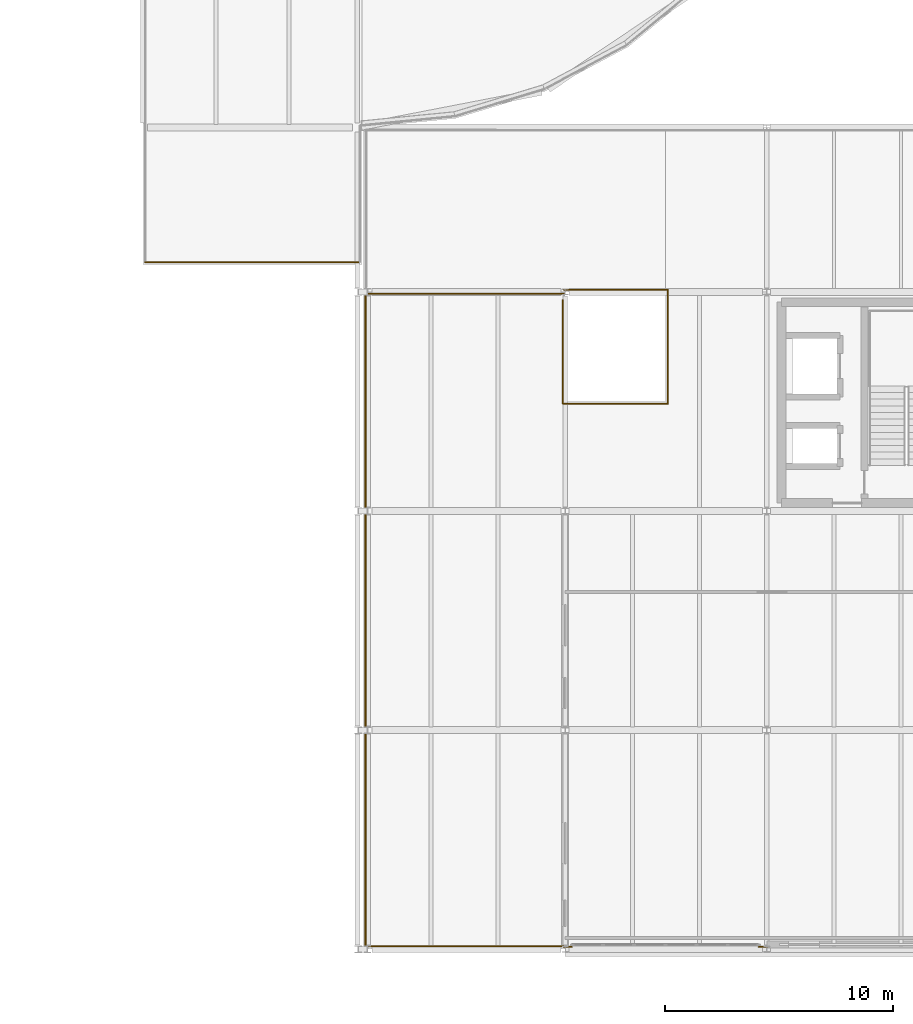
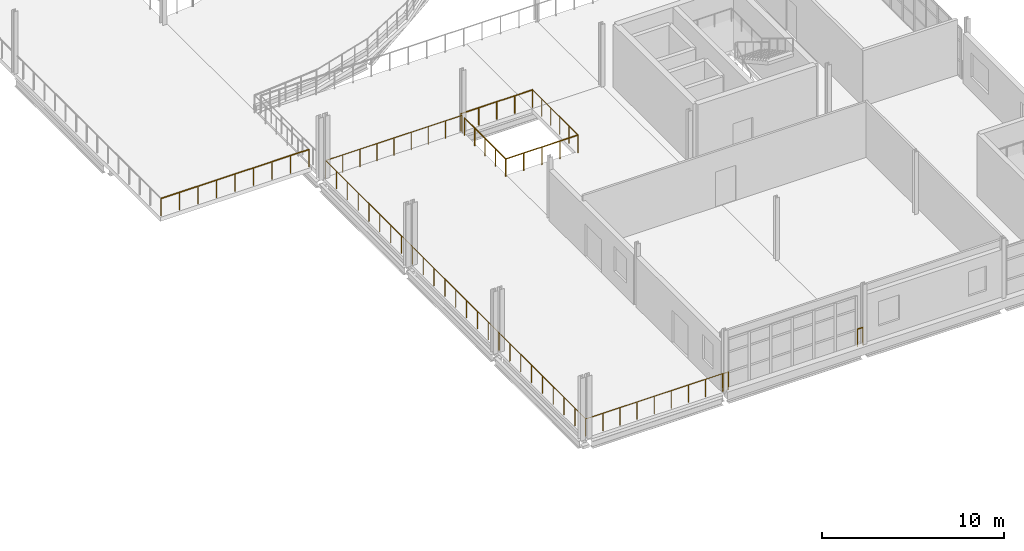
# One storey, part 55 of 58: 8 railings.
"""IFC4 building model written with IfcOpenShell, lengths in metres."""

from ifc_helpers import new_model, si_unit, direction, frame, origin, origin_2d, place, context, subcontext, project, spatial, circle, extrude, material, type_object, element, save


model = new_model("IFC4")

# Units and contexts
model_context = context("Model", 3, precision=1e-05, world=origin(), true_north=direction((0.0, 1.0)))
body_context = subcontext(model_context, "Body", "Model", "MODEL_VIEW")
ifc_project = project(units=[si_unit("LENGTHUNIT", "METRE"), si_unit("AREAUNIT", "SQUARE_METRE"), si_unit("VOLUMEUNIT", "CUBIC_METRE"), si_unit("PLANEANGLEUNIT", "RADIAN"), si_unit("MASSUNIT", "GRAM", prefix="KILO")], contexts=[model_context])

# Site, building, storey
site_placement = place(None, origin())
site = spatial("IfcSite", under=ifc_project, at=site_placement, CompositionType="ELEMENT")
building_placement = place(site_placement, origin())
building = spatial("IfcBuilding", under=site, at=building_placement, Name="Yeouljin Market Hall", CompositionType="ELEMENT")
storey_placement = place(building_placement, frame((0.0, 0.0, 10.800048828125)))
storey = spatial("IfcBuildingStorey", under=building, at=storey_placement, Name="L02", CompositionType="ELEMENT", Elevation=10.800048828125)

# Railings
ifc_material_1 = material(Name="Wrought Iron and Bronze Gallery Balustrade")
railing_type_1 = type_object("IfcRailingType", Name="Railing_AtriumBalustrade_1200", PredefinedType="BALUSTRADE", material=ifc_material_1)
railing_1_placement = place(storey_placement, frame((158.751953125, 0.10009765625, 0.0)))
element("IfcRailing", 1, at=railing_1_placement, inside=storey, type_object=railing_type_1, Name="Gallery & deck edge balustrade L02-156", PredefinedType="BALUSTRADE", context=body_context, shape_type="SweptSolid", body=[
    extrude(circle(Radius=0.02392578125, at=origin_2d()), frame((0.0, 0.0, 1.17578125), z_axis=(-1.0, 0.0, 0.0), x_axis=(0.0, -1.0, 0.0)), (0.0, 0.0, 1.0), 0.35205078125),
    extrude(circle(Radius=0.02099609375, at=origin_2d()), origin(), (0.0, 0.0, 1.0), 1.15185546875),
    extrude(circle(Radius=0.02099609375, at=origin_2d()), frame((-0.35205078125, 0.0, 0.0)), (0.0, 0.0, 1.0), 1.15185546875),
])
railing_2_placement = place(storey_placement, frame((150.199951171875, 0.10009765625, 0.0)))
element("IfcRailing", 2, at=railing_2_placement, inside=storey, type_object=railing_type_1, Name="Gallery & deck edge balustrade L02-157", PredefinedType="BALUSTRADE", context=body_context, shape_type="SweptSolid", body=[
    extrude(circle(Radius=0.02392578125, at=origin_2d()), frame((0.0, 0.0, 1.17578125), z_axis=(-1.0, 0.0, 0.0), x_axis=(0.0, -1.0, 0.0)), (0.0, 0.0, 1.0), 0.349853515625),
    extrude(circle(Radius=0.02099609375, at=origin_2d()), origin(), (0.0, 0.0, 1.0), 1.15185546875),
    extrude(circle(Radius=0.02099609375, at=origin_2d()), frame((-0.349853515625, 0.0, 0.0)), (0.0, 0.0, 1.0), 1.15185546875),
])
railing_3_placement = place(storey_placement, frame((154.39990234375, 28.89990234375, 0.0)))
element("IfcRailing", 3, at=railing_3_placement, inside=storey, type_object=railing_type_1, Name="Gallery & deck edge balustrade L02-163", PredefinedType="BALUSTRADE", context=body_context, shape_type="SweptSolid", body=[
    extrude(circle(Radius=0.02392578125, at=origin_2d()), frame((0.0, 0.0, 1.17578125), z_axis=(-1.0, 0.0, 0.0), x_axis=(0.0, -1.0, 0.0)), (0.0, 0.0, 1.0), 4.5498046875),
    extrude(circle(Radius=0.02099609375, at=origin_2d()), origin(), (0.0, 0.0, 1.0), 1.15185546875),
    extrude(circle(Radius=0.02099609375, at=origin_2d()), frame((-1.137451171875, 0.0, 0.0)), (0.0, 0.0, 1.0), 1.15185546875),
    extrude(circle(Radius=0.02099609375, at=origin_2d()), frame((-2.27490234375, 0.0, 0.0)), (0.0, 0.0, 1.0), 1.15185546875),
    extrude(circle(Radius=0.02099609375, at=origin_2d()), frame((-3.412353515625, 0.0, 0.0)), (0.0, 0.0, 1.0), 1.15185546875),
    extrude(circle(Radius=0.02099609375, at=origin_2d()), frame((-4.5498046875, 0.0, 0.0)), (0.0, 0.0, 1.0), 1.15185546875),
])
railing_4_placement = place(storey_placement, frame((149.81005859375, 28.43994140625, 0.0)))
element("IfcRailing", 4, at=railing_4_placement, inside=storey, type_object=railing_type_1, Name="Gallery & deck edge balustrade L02-164", PredefinedType="BALUSTRADE", context=body_context, shape_type="SweptSolid", body=[
    extrude(circle(Radius=0.02392578125, at=origin_2d()), frame((0.0, 0.0, 1.17578125), z_axis=(0.0, -1.0, 0.0), x_axis=(1.0, 0.0, 0.0)), (0.0, 0.0, 1.0), 4.5400390625),
    extrude(circle(Radius=0.02099609375, at=origin_2d()), origin(), (0.0, 0.0, 1.0), 1.15185546875),
    extrude(circle(Radius=0.02099609375, at=origin_2d()), frame((0.0, -1.135009765625, 0.0)), (0.0, 0.0, 1.0), 1.15185546875),
    extrude(circle(Radius=0.02099609375, at=origin_2d()), frame((0.0, -2.27001953125, 0.0)), (0.0, 0.0, 1.0), 1.15185546875),
    extrude(circle(Radius=0.02099609375, at=origin_2d()), frame((0.0, -3.405029296875, 0.0)), (0.0, 0.0, 1.0), 1.15185546875),
    extrude(circle(Radius=0.02099609375, at=origin_2d()), frame((0.0, -4.5400390625, 0.0)), (0.0, 0.0, 1.0), 1.15185546875),
])
railing_5_placement = place(storey_placement, frame((149.81005859375, 23.89990234375, 0.0)))
element("IfcRailing", 5, at=railing_5_placement, inside=storey, type_object=railing_type_1, Name="Gallery & deck edge balustrade L02-165", PredefinedType="BALUSTRADE", context=body_context, shape_type="SweptSolid", body=[
    extrude(circle(Radius=0.02392578125, at=origin_2d()), frame((0.0, 0.0, 1.17578125), z_axis=(1.0, 0.0, 0.0), x_axis=(0.0, 1.0, 0.0)), (0.0, 0.0, 1.0), 4.58984375),
    extrude(circle(Radius=0.02099609375, at=origin_2d()), origin(), (0.0, 0.0, 1.0), 1.15185546875),
    extrude(circle(Radius=0.02099609375, at=origin_2d()), frame((1.1474609375, 0.0, 0.0)), (0.0, 0.0, 1.0), 1.15185546875),
    extrude(circle(Radius=0.02099609375, at=origin_2d()), frame((2.294921875, 0.0, 0.0)), (0.0, 0.0, 1.0), 1.15185546875),
    extrude(circle(Radius=0.02099609375, at=origin_2d()), frame((3.4423828125, 0.0, 0.0)), (0.0, 0.0, 1.0), 1.15185546875),
    extrude(circle(Radius=0.02099609375, at=origin_2d()), frame((4.58984375, 0.0, 0.0)), (0.0, 0.0, 1.0), 1.15185546875),
])
railing_6_placement = place(storey_placement, frame((154.39990234375, 23.89990234375, 0.0)))
element("IfcRailing", 6, at=railing_6_placement, inside=storey, type_object=railing_type_1, Name="Gallery & deck edge balustrade L02-166", PredefinedType="BALUSTRADE", context=body_context, shape_type="SweptSolid", body=[
    extrude(circle(Radius=0.02392578125, at=origin_2d()), frame((0.0, 0.0, 1.17578125), z_axis=(0.0, 1.0, 0.0), x_axis=(-1.0, 0.0, 0.0)), (0.0, 0.0, 1.0), 5.0),
    extrude(circle(Radius=0.02099609375, at=origin_2d()), origin(), (0.0, 0.0, 1.0), 1.15185546875),
    extrude(circle(Radius=0.02099609375, at=origin_2d()), frame((0.0, 1.0, 0.0)), (0.0, 0.0, 1.0), 1.15185546875),
    extrude(circle(Radius=0.02099609375, at=origin_2d()), frame((0.0, 2.0, 0.0)), (0.0, 0.0, 1.0), 1.15185546875),
    extrude(circle(Radius=0.02099609375, at=origin_2d()), frame((0.0, 3.0, 0.0)), (0.0, 0.0, 1.0), 1.15185546875),
    extrude(circle(Radius=0.02099609375, at=origin_2d()), frame((0.0, 4.0, 0.0)), (0.0, 0.0, 1.0), 1.15185546875),
    extrude(circle(Radius=0.02099609375, at=origin_2d()), frame((0.0, 5.0, 0.0)), (0.0, 0.0, 1.0), 1.15185546875),
])
railing_7_placement = place(storey_placement, frame((140.89990234375, 30.10009765625, 0.0)))
element("IfcRailing", 7, at=railing_7_placement, inside=storey, type_object=railing_type_1, Name="Gallery & deck edge balustrade L02-173", PredefinedType="BALUSTRADE", context=body_context, shape_type="SweptSolid", body=[
    extrude(circle(Radius=0.02392578125, at=origin_2d()), frame((0.0, 0.0, 1.17578125), z_axis=(-1.0, 0.0, 0.0), x_axis=(0.0, -1.0, 0.0)), (0.0, 0.0, 1.0), 9.39990234375),
    extrude(circle(Radius=0.02099609375, at=origin_2d()), origin(), (0.0, 0.0, 1.0), 1.15185546875),
    extrude(circle(Radius=0.02099609375, at=origin_2d()), frame((-1.175048828125, 0.0, 0.0)), (0.0, 0.0, 1.0), 1.15185546875),
    extrude(circle(Radius=0.02099609375, at=origin_2d()), frame((-2.35009765625, 0.0, 0.0)), (0.0, 0.0, 1.0), 1.15185546875),
    extrude(circle(Radius=0.02099609375, at=origin_2d()), frame((-3.52490234375, 0.0, 0.0)), (0.0, 0.0, 1.0), 1.15185546875),
    extrude(circle(Radius=0.02099609375, at=origin_2d()), frame((-4.699951171875, 0.0, 0.0)), (0.0, 0.0, 1.0), 1.15185546875),
    extrude(circle(Radius=0.02099609375, at=origin_2d()), frame((-5.875, 0.0, 0.0)), (0.0, 0.0, 1.0), 1.15185546875),
    extrude(circle(Radius=0.02099609375, at=origin_2d()), frame((-7.0498046875, 0.0, 0.0)), (0.0, 0.0, 1.0), 1.15185546875),
    extrude(circle(Radius=0.02099609375, at=origin_2d()), frame((-8.224853515625, 0.0, 0.0)), (0.0, 0.0, 1.0), 1.15185546875),
    extrude(circle(Radius=0.02099609375, at=origin_2d()), frame((-9.39990234375, 0.0, 0.0)), (0.0, 0.0, 1.0), 1.15185546875),
])
ifc_material_2 = material(Name="Architectural Bronze Balustrade")
railing_type_2 = type_object("IfcRailingType", Name="Railing_TerraceGuard_1200", PredefinedType="GUARDRAIL", material=ifc_material_2)
railing_8_placement = place(storey_placement, frame((149.85009765625, 0.1201171875, 0.0)))
element("IfcRailing", 8, at=railing_8_placement, inside=storey, type_object=railing_type_2, Name="Harbour dining terrace guardrail L02", PredefinedType="GUARDRAIL", context=body_context, shape_type="SweptSolid", body=[
    extrude(circle(Radius=0.02392578125, at=origin_2d()), frame((0.0, 0.0, 1.17578125), z_axis=(-1.0, 0.0, 0.0), x_axis=(0.0, -1.0, 0.0)), (0.0, 0.0, 1.0), 8.690185546875),
    extrude(circle(Radius=0.02392578125, at=origin_2d()), frame((-8.690185546875, 0.0, 1.17578125), z_axis=(0.0, 1.0, 0.0), x_axis=(-1.0, 0.0, 0.0)), (0.0, 0.0, 1.0), 28.599853515625),
    extrude(circle(Radius=0.02392578125, at=origin_2d()), frame((-8.690185546875, 28.599853515625, 1.17578125), z_axis=(1.0, 0.0, 0.0), x_axis=(0.0, 1.0, 0.0)), (0.0, 0.0, 1.0), 8.690185546875),
    extrude(circle(Radius=0.02099609375, at=origin_2d()), origin(), (0.0, 0.0, 1.0), 1.15185546875),
    extrude(circle(Radius=0.02099609375, at=origin_2d()), frame((-1.086181640625, 0.0, 0.0)), (0.0, 0.0, 1.0), 1.15185546875),
    extrude(circle(Radius=0.02099609375, at=origin_2d()), frame((-2.172607421875, 0.0, 0.0)), (0.0, 0.0, 1.0), 1.15185546875),
    extrude(circle(Radius=0.02099609375, at=origin_2d()), frame((-3.2587890625, 0.0, 0.0)), (0.0, 0.0, 1.0), 1.15185546875),
    extrude(circle(Radius=0.02099609375, at=origin_2d()), frame((-4.34521484375, 0.0, 0.0)), (0.0, 0.0, 1.0), 1.15185546875),
    extrude(circle(Radius=0.02099609375, at=origin_2d()), frame((-5.431396484375, 0.0, 0.0)), (0.0, 0.0, 1.0), 1.15185546875),
    extrude(circle(Radius=0.02099609375, at=origin_2d()), frame((-6.517578125, 0.0, 0.0)), (0.0, 0.0, 1.0), 1.15185546875),
    extrude(circle(Radius=0.02099609375, at=origin_2d()), frame((-7.60400390625, 0.0, 0.0)), (0.0, 0.0, 1.0), 1.15185546875),
    extrude(circle(Radius=0.02099609375, at=origin_2d()), frame((-8.690185546875, 0.0, 0.0)), (0.0, 0.0, 1.0), 1.15185546875),
    extrude(circle(Radius=0.02099609375, at=origin_2d()), frame((-8.690185546875, 1.191650390625, 0.0)), (0.0, 0.0, 1.0), 1.15185546875),
    extrude(circle(Radius=0.02099609375, at=origin_2d()), frame((-8.690185546875, 2.38330078125, 0.0)), (0.0, 0.0, 1.0), 1.15185546875),
    extrude(circle(Radius=0.02099609375, at=origin_2d()), frame((-8.690185546875, 3.574951171875, 0.0)), (0.0, 0.0, 1.0), 1.15185546875),
    extrude(circle(Radius=0.02099609375, at=origin_2d()), frame((-8.690185546875, 4.7666015625, 0.0)), (0.0, 0.0, 1.0), 1.15185546875),
    extrude(circle(Radius=0.02099609375, at=origin_2d()), frame((-8.690185546875, 5.958251953125, 0.0)), (0.0, 0.0, 1.0), 1.15185546875),
    extrude(circle(Radius=0.02099609375, at=origin_2d()), frame((-8.690185546875, 7.14990234375, 0.0)), (0.0, 0.0, 1.0), 1.15185546875),
    extrude(circle(Radius=0.02099609375, at=origin_2d()), frame((-8.690185546875, 8.341552734375, 0.0)), (0.0, 0.0, 1.0), 1.15185546875),
    extrude(circle(Radius=0.02099609375, at=origin_2d()), frame((-8.690185546875, 9.533203125, 0.0)), (0.0, 0.0, 1.0), 1.15185546875),
    extrude(circle(Radius=0.02099609375, at=origin_2d()), frame((-8.690185546875, 10.724853515625, 0.0)), (0.0, 0.0, 1.0), 1.15185546875),
    extrude(circle(Radius=0.02099609375, at=origin_2d()), frame((-8.690185546875, 11.91650390625, 0.0)), (0.0, 0.0, 1.0), 1.15185546875),
    extrude(circle(Radius=0.02099609375, at=origin_2d()), frame((-8.690185546875, 13.108154296875, 0.0)), (0.0, 0.0, 1.0), 1.15185546875),
    extrude(circle(Radius=0.02099609375, at=origin_2d()), frame((-8.690185546875, 14.2998046875, 0.0)), (0.0, 0.0, 1.0), 1.15185546875),
    extrude(circle(Radius=0.02099609375, at=origin_2d()), frame((-8.690185546875, 15.49169921875, 0.0)), (0.0, 0.0, 1.0), 1.15185546875),
    extrude(circle(Radius=0.02099609375, at=origin_2d()), frame((-8.690185546875, 16.683349609375, 0.0)), (0.0, 0.0, 1.0), 1.15185546875),
    extrude(circle(Radius=0.02099609375, at=origin_2d()), frame((-8.690185546875, 17.875, 0.0)), (0.0, 0.0, 1.0), 1.15185546875),
    extrude(circle(Radius=0.02099609375, at=origin_2d()), frame((-8.690185546875, 19.066650390625, 0.0)), (0.0, 0.0, 1.0), 1.15185546875),
    extrude(circle(Radius=0.02099609375, at=origin_2d()), frame((-8.690185546875, 20.25830078125, 0.0)), (0.0, 0.0, 1.0), 1.15185546875),
    extrude(circle(Radius=0.02099609375, at=origin_2d()), frame((-8.690185546875, 21.449951171875, 0.0)), (0.0, 0.0, 1.0), 1.15185546875),
    extrude(circle(Radius=0.02099609375, at=origin_2d()), frame((-8.690185546875, 22.6416015625, 0.0)), (0.0, 0.0, 1.0), 1.15185546875),
    extrude(circle(Radius=0.02099609375, at=origin_2d()), frame((-8.690185546875, 23.833251953125, 0.0)), (0.0, 0.0, 1.0), 1.15185546875),
    extrude(circle(Radius=0.02099609375, at=origin_2d()), frame((-8.690185546875, 25.02490234375, 0.0)), (0.0, 0.0, 1.0), 1.15185546875),
    extrude(circle(Radius=0.02099609375, at=origin_2d()), frame((-8.690185546875, 26.216552734375, 0.0)), (0.0, 0.0, 1.0), 1.15185546875),
    extrude(circle(Radius=0.02099609375, at=origin_2d()), frame((-8.690185546875, 27.408203125, 0.0)), (0.0, 0.0, 1.0), 1.15185546875),
    extrude(circle(Radius=0.02099609375, at=origin_2d()), frame((-8.690185546875, 28.599853515625, 0.0)), (0.0, 0.0, 1.0), 1.15185546875),
    extrude(circle(Radius=0.02099609375, at=origin_2d()), frame((-7.60400390625, 28.599853515625, 0.0)), (0.0, 0.0, 1.0), 1.15185546875),
    extrude(circle(Radius=0.02099609375, at=origin_2d()), frame((-6.517578125, 28.599853515625, 0.0)), (0.0, 0.0, 1.0), 1.15185546875),
    extrude(circle(Radius=0.02099609375, at=origin_2d()), frame((-5.431396484375, 28.599853515625, 0.0)), (0.0, 0.0, 1.0), 1.15185546875),
    extrude(circle(Radius=0.02099609375, at=origin_2d()), frame((-4.34521484375, 28.599853515625, 0.0)), (0.0, 0.0, 1.0), 1.15185546875),
    extrude(circle(Radius=0.02099609375, at=origin_2d()), frame((-3.2587890625, 28.599853515625, 0.0)), (0.0, 0.0, 1.0), 1.15185546875),
    extrude(circle(Radius=0.02099609375, at=origin_2d()), frame((-2.172607421875, 28.599853515625, 0.0)), (0.0, 0.0, 1.0), 1.15185546875),
    extrude(circle(Radius=0.02099609375, at=origin_2d()), frame((-1.086181640625, 28.599853515625, 0.0)), (0.0, 0.0, 1.0), 1.15185546875),
    extrude(circle(Radius=0.02099609375, at=origin_2d()), frame((0.0, 28.599853515625, 0.0)), (0.0, 0.0, 1.0), 1.15185546875),
])

save(model, "model.ifc")
